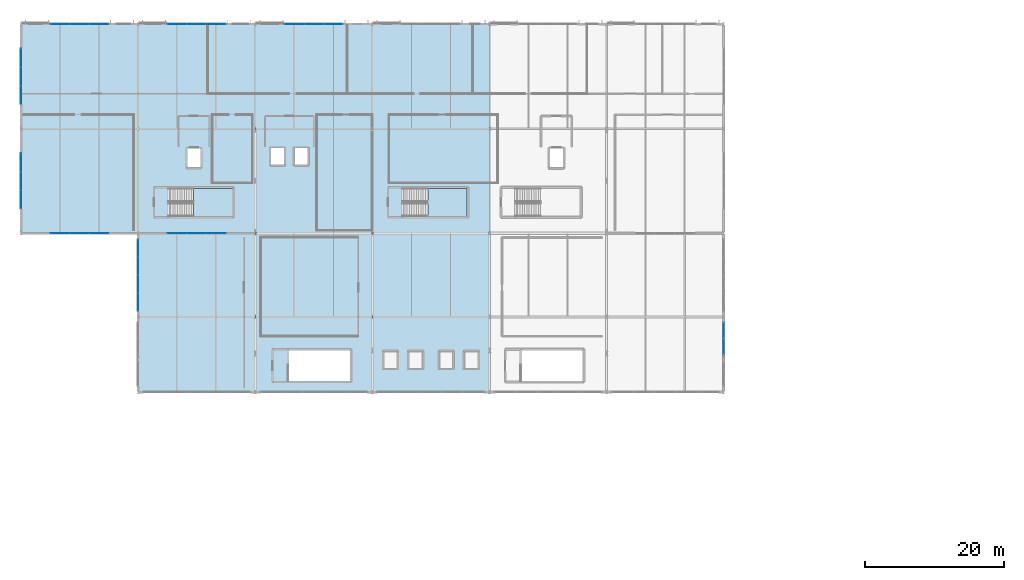
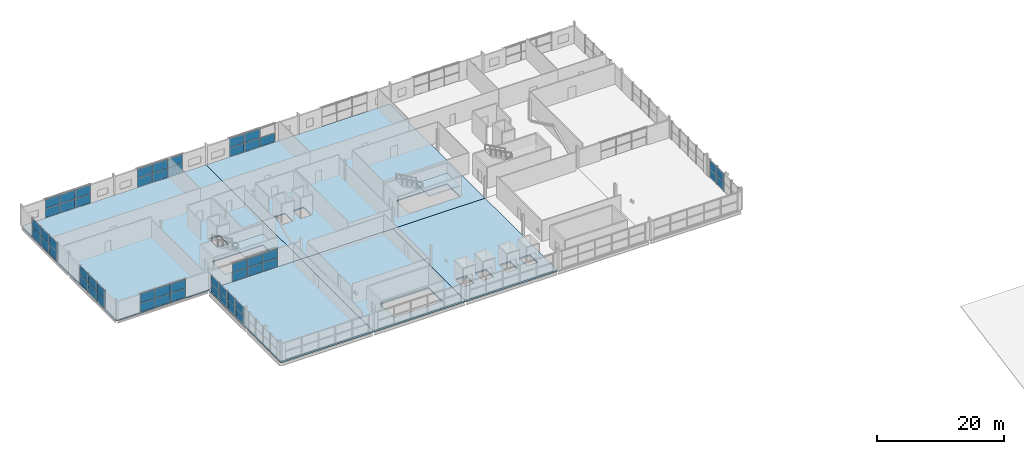
# One storey, part 27 of 39: 53 plates, 7 slabs, 11 elements without a shape of their own.
"""IFC4 building model written with IfcOpenShell, lengths in metres."""

from ifc_helpers import new_model, si_unit, direction, frame, origin, origin_2d, place, context, subcontext, project, spatial, polyline, rectangle, outline, extrude, material, layer, layer_set, type_object, element, aggregate, save


model = new_model("IFC4")

# Units and contexts
model_context = context("Model", 3, precision=1e-05, world=origin(), true_north=direction((0.0, 1.0)))
body_context = subcontext(model_context, "Body", "Model", "MODEL_VIEW")
ifc_project = project(units=[si_unit("LENGTHUNIT", "METRE"), si_unit("AREAUNIT", "SQUARE_METRE"), si_unit("VOLUMEUNIT", "CUBIC_METRE"), si_unit("PLANEANGLEUNIT", "RADIAN"), si_unit("MASSUNIT", "GRAM", prefix="KILO")], contexts=[model_context])

# Site, building, storey
site_placement = place(None, origin())
site = spatial("IfcSite", under=ifc_project, at=site_placement, CompositionType="ELEMENT")
building_placement = place(site_placement, origin())
building = spatial("IfcBuilding", under=site, at=building_placement, Name="Kimbaza Rail Terminus", CompositionType="ELEMENT")
storey_placement = place(building_placement, frame((0.0, 0.0, 16.800048828125)))
storey = spatial("IfcBuildingStorey", under=building, at=storey_placement, Name="L03", CompositionType="ELEMENT", Elevation=16.800048828125)

# Curtain wall, plates
ifc_material_1 = material(Name="Anodised aluminium framing and solar low-E glazing", Category="aluminium")
curtain_wall_type_1 = type_object("IfcCurtainWallType", Name="ARC-CW-BRG", PredefinedType="USERDEFINED", material=ifc_material_1)
curtain_wall_1_placement = place(storey_placement, origin())
curtain_wall_1 = element("IfcCurtainWall", 1, at=curtain_wall_1_placement, inside=storey, type_object=curtain_wall_type_1, Name="Over-Track Footbridge W Panoramic Curtain Wall 2", ObjectType="UNITISED CURTAIN WALL", PredefinedType="USERDEFINED")
ifc_material_2 = material(Name="Solar-control double low-E glazing", Category="glass")
ifc_layer_1 = layer(ifc_material_2, 0.030029296875)
ifc_layer_set_1 = layer_set([ifc_layer_1], Name="Solar-control double low-E glazing")
plate_type_1 = type_object("IfcPlateType", Name="ARC-CWP-03", PredefinedType="CURTAIN_PANEL", material=ifc_layer_set_1)
plate_1_placement = place(storey_placement, frame((72.0, 93.109619140625, 0.06787109375), z_axis=(0.0, 0.0, 1.0), x_axis=(0.0, 1.0, 0.0)))
plate_1 = element("IfcPlate", 2, at=plate_1_placement, type_object=plate_type_1, Name="CW-03 panel 1.1", PredefinedType="CURTAIN_PANEL", context=body_context, shape_type="SweptSolid", body=[
    extrude(rectangle(XDim=2.48291015625, YDim=0.030029296875, at=origin_2d()), origin(), (0.0, 0.0, 1.0), 1.5830078125),
])
plate_2_placement = place(storey_placement, frame((72.0, 93.109619140625, 1.718994140625), z_axis=(0.0, 0.0, 1.0), x_axis=(0.0, 1.0, 0.0)))
plate_2 = element("IfcPlate", 3, at=plate_2_placement, type_object=plate_type_1, Name="CW-03 panel 1.2", PredefinedType="CURTAIN_PANEL", context=body_context, shape_type="SweptSolid", body=[
    extrude(rectangle(XDim=2.48291015625, YDim=0.030029296875, at=origin_2d()), origin(), (0.0, 0.0, 1.0), 1.5830078125),
])
plate_3_placement = place(storey_placement, frame((72.0, 95.677490234375, 0.06787109375), z_axis=(0.0, 0.0, 1.0), x_axis=(0.0, 1.0, 0.0)))
plate_3 = element("IfcPlate", 4, at=plate_3_placement, type_object=plate_type_1, Name="CW-03 panel 2.1", PredefinedType="CURTAIN_PANEL", context=body_context, shape_type="SweptSolid", body=[
    extrude(rectangle(XDim=2.51708984375, YDim=0.030029296875, at=origin_2d()), origin(), (0.0, 0.0, 1.0), 1.5830078125),
])
plate_4_placement = place(storey_placement, frame((72.0, 95.677490234375, 1.718994140625), z_axis=(0.0, 0.0, 1.0), x_axis=(0.0, 1.0, 0.0)))
plate_4 = element("IfcPlate", 5, at=plate_4_placement, type_object=plate_type_1, Name="CW-03 panel 2.2", PredefinedType="CURTAIN_PANEL", context=body_context, shape_type="SweptSolid", body=[
    extrude(rectangle(XDim=2.51708984375, YDim=0.030029296875, at=origin_2d()), origin(), (0.0, 0.0, 1.0), 1.5830078125),
])
plate_5_placement = place(storey_placement, frame((72.0, 98.262451171875, 0.06787109375), z_axis=(0.0, 0.0, 1.0), x_axis=(0.0, 1.0, 0.0)))
plate_5 = element("IfcPlate", 6, at=plate_5_placement, type_object=plate_type_1, Name="CW-03 panel 3.1", PredefinedType="CURTAIN_PANEL", context=body_context, shape_type="SweptSolid", body=[
    extrude(rectangle(XDim=2.51708984375, YDim=0.030029296875, at=origin_2d()), origin(), (0.0, 0.0, 1.0), 1.5830078125),
])
plate_6_placement = place(storey_placement, frame((72.0, 98.262451171875, 1.718994140625), z_axis=(0.0, 0.0, 1.0), x_axis=(0.0, 1.0, 0.0)))
plate_6 = element("IfcPlate", 7, at=plate_6_placement, type_object=plate_type_1, Name="CW-03 panel 3.2", PredefinedType="CURTAIN_PANEL", context=body_context, shape_type="SweptSolid", body=[
    extrude(rectangle(XDim=2.51708984375, YDim=0.030029296875, at=origin_2d()), origin(), (0.0, 0.0, 1.0), 1.5830078125),
])
plate_7_placement = place(storey_placement, frame((72.0, 100.83056640625, 0.06787109375), z_axis=(0.0, 0.0, 1.0), x_axis=(0.0, 1.0, 0.0)))
plate_7 = element("IfcPlate", 8, at=plate_7_placement, type_object=plate_type_1, Name="CW-03 panel 4.1", PredefinedType="CURTAIN_PANEL", context=body_context, shape_type="SweptSolid", body=[
    extrude(rectangle(XDim=2.48291015625, YDim=0.030029296875, at=origin_2d()), origin(), (0.0, 0.0, 1.0), 1.5830078125),
])
plate_8_placement = place(storey_placement, frame((72.0, 100.83056640625, 1.718994140625), z_axis=(0.0, 0.0, 1.0), x_axis=(0.0, 1.0, 0.0)))
plate_8 = element("IfcPlate", 9, at=plate_8_placement, type_object=plate_type_1, Name="CW-03 panel 4.2", PredefinedType="CURTAIN_PANEL", context=body_context, shape_type="SweptSolid", body=[
    extrude(rectangle(XDim=2.48291015625, YDim=0.030029296875, at=origin_2d()), origin(), (0.0, 0.0, 1.0), 1.5830078125),
])
aggregate(curtain_wall_1, [plate_1, plate_2, plate_3, plate_4, plate_5, plate_6, plate_7, plate_8])

curtain_wall_2_placement = place(storey_placement, origin())
curtain_wall_2 = element("IfcCurtainWall", 10, at=curtain_wall_2_placement, inside=storey, type_object=curtain_wall_type_1, Name="Over-Track Footbridge E Panoramic Curtain Wall 1", ObjectType="UNITISED CURTAIN WALL", PredefinedType="USERDEFINED")
plate_9_placement = place(storey_placement, frame((156.0, 86.7724609375, 0.06787109375), z_axis=(0.0, 0.0, 1.0), x_axis=(0.0, 1.0, 0.0)))
plate_9 = element("IfcPlate", 11, at=plate_9_placement, type_object=plate_type_1, Name="CW-03 panel 3.1", PredefinedType="CURTAIN_PANEL", context=body_context, shape_type="SweptSolid", body=[
    extrude(rectangle(XDim=2.217041015625, YDim=0.030029296875, at=origin_2d()), origin(), (0.0, 0.0, 1.0), 1.623046875),
])
plate_10_placement = place(storey_placement, frame((156.0, 86.7724609375, 1.759033203125), z_axis=(0.0, 0.0, 1.0), x_axis=(0.0, 1.0, 0.0)))
plate_10 = element("IfcPlate", 12, at=plate_10_placement, type_object=plate_type_1, Name="CW-03 panel 3.2", PredefinedType="CURTAIN_PANEL", context=body_context, shape_type="SweptSolid", body=[
    extrude(rectangle(XDim=2.217041015625, YDim=0.030029296875, at=origin_2d()), origin(), (0.0, 0.0, 1.0), 1.623046875),
])
plate_11_placement = place(storey_placement, frame((156.0, 89.04052734375, 0.06787109375), z_axis=(0.0, 0.0, 1.0), x_axis=(0.0, 1.0, 0.0)))
plate_11 = element("IfcPlate", 13, at=plate_11_placement, type_object=plate_type_1, Name="CW-03 panel 4.1", PredefinedType="CURTAIN_PANEL", context=body_context, shape_type="SweptSolid", body=[
    extrude(rectangle(XDim=2.18310546875, YDim=0.030029296875, at=origin_2d()), origin(), (0.0, 0.0, 1.0), 1.623046875),
])
plate_12_placement = place(storey_placement, frame((156.0, 89.04052734375, 1.759033203125), z_axis=(0.0, 0.0, 1.0), x_axis=(0.0, 1.0, 0.0)))
plate_12 = element("IfcPlate", 14, at=plate_12_placement, type_object=plate_type_1, Name="CW-03 panel 4.2", PredefinedType="CURTAIN_PANEL", context=body_context, shape_type="SweptSolid", body=[
    extrude(rectangle(XDim=2.18310546875, YDim=0.030029296875, at=origin_2d()), origin(), (0.0, 0.0, 1.0), 1.623046875),
])
aggregate(curtain_wall_2, [plate_9, plate_10, plate_11, plate_12])

ifc_material_3 = material(Name="Anodised aluminium framing and solar low-E glazing", Category="aluminium")
curtain_wall_type_2 = type_object("IfcCurtainWallType", Name="ARC-CW-OP2", PredefinedType="USERDEFINED", material=ifc_material_3)
curtain_wall_3_placement = place(storey_placement, origin())
curtain_wall_3 = element("IfcCurtainWall", 15, at=curtain_wall_3_placement, inside=storey, type_object=curtain_wall_type_2, Name="Operations North Curtain Wall L03 Bay 1", ObjectType="STICK CURTAIN WALL", PredefinedType="USERDEFINED")
ifc_material_4 = material(Name="Solar-control double low-E glazing", Category="glass")
ifc_layer_2 = layer(ifc_material_4, 0.02294921875)
ifc_layer_set_2 = layer_set([ifc_layer_2], Name="Solar-control double low-E glazing")
plate_type_2 = type_object("IfcPlateType", Name="ARC-CWP-06", PredefinedType="CURTAIN_PANEL", material=ifc_layer_set_2)
plate_13_placement = place(storey_placement, frame((60.814453125, 133.0, 0.05810546875), z_axis=(0.0, 0.0, 1.0), x_axis=(1.0, 0.0, 0.0)))
plate_13 = element("IfcPlate", 16, at=plate_13_placement, type_object=plate_type_2, Name="CW-06 panel 1.1", PredefinedType="CURTAIN_PANEL", context=body_context, shape_type="SweptSolid", body=[
    extrude(rectangle(XDim=2.712890625, YDim=0.02294921875, at=origin_2d()), origin(), (0.0, 0.0, 1.0), 1.715576171875),
])
plate_14_placement = place(storey_placement, frame((60.814453125, 133.0, 1.83154296875), z_axis=(0.0, 0.0, 1.0), x_axis=(1.0, 0.0, 0.0)))
plate_14 = element("IfcPlate", 17, at=plate_14_placement, type_object=plate_type_2, Name="CW-06 panel 1.2", PredefinedType="CURTAIN_PANEL", context=body_context, shape_type="SweptSolid", body=[
    extrude(rectangle(XDim=2.712890625, YDim=0.02294921875, at=origin_2d()), origin(), (0.0, 0.0, 1.0), 1.715576171875),
])
plate_15_placement = place(storey_placement, frame((63.60009765625, 133.0, 0.05810546875), z_axis=(0.0, 0.0, 1.0), x_axis=(1.0, 0.0, 0.0)))
plate_15 = element("IfcPlate", 18, at=plate_15_placement, type_object=plate_type_2, Name="CW-06 panel 2.1", PredefinedType="CURTAIN_PANEL", context=body_context, shape_type="SweptSolid", body=[
    extrude(rectangle(XDim=2.741943359375, YDim=0.02294921875, at=origin_2d()), origin(), (0.0, 0.0, 1.0), 1.715576171875),
])
plate_16_placement = place(storey_placement, frame((63.60009765625, 133.0, 1.83154296875), z_axis=(0.0, 0.0, 1.0), x_axis=(1.0, 0.0, 0.0)))
plate_16 = element("IfcPlate", 19, at=plate_16_placement, type_object=plate_type_2, Name="CW-06 panel 2.2", PredefinedType="CURTAIN_PANEL", context=body_context, shape_type="SweptSolid", body=[
    extrude(rectangle(XDim=2.741943359375, YDim=0.02294921875, at=origin_2d()), origin(), (0.0, 0.0, 1.0), 1.715576171875),
])
plate_17_placement = place(storey_placement, frame((66.385498046875, 133.0, 0.05810546875), z_axis=(0.0, 0.0, 1.0), x_axis=(1.0, 0.0, 0.0)))
plate_17 = element("IfcPlate", 20, at=plate_17_placement, type_object=plate_type_2, Name="CW-06 panel 3.1", PredefinedType="CURTAIN_PANEL", context=body_context, shape_type="SweptSolid", body=[
    extrude(rectangle(XDim=2.712890625, YDim=0.02294921875, at=origin_2d()), origin(), (0.0, 0.0, 1.0), 1.715576171875),
])
plate_18_placement = place(storey_placement, frame((66.385498046875, 133.0, 1.83154296875), z_axis=(0.0, 0.0, 1.0), x_axis=(1.0, 0.0, 0.0)))
plate_18 = element("IfcPlate", 21, at=plate_18_placement, type_object=plate_type_2, Name="CW-06 panel 3.2", PredefinedType="CURTAIN_PANEL", context=body_context, shape_type="SweptSolid", body=[
    extrude(rectangle(XDim=2.712890625, YDim=0.02294921875, at=origin_2d()), origin(), (0.0, 0.0, 1.0), 1.715576171875),
])
aggregate(curtain_wall_3, [plate_13, plate_14, plate_15, plate_16, plate_17, plate_18])

curtain_wall_4_placement = place(storey_placement, origin())
curtain_wall_4 = element("IfcCurtainWall", 22, at=curtain_wall_4_placement, inside=storey, type_object=curtain_wall_type_2, Name="Operations North Curtain Wall L03 Bay 2", ObjectType="STICK CURTAIN WALL", PredefinedType="USERDEFINED")
plate_19_placement = place(storey_placement, frame((77.614501953125, 133.0, 0.05810546875), z_axis=(0.0, 0.0, 1.0), x_axis=(1.0, 0.0, 0.0)))
plate_19 = element("IfcPlate", 23, at=plate_19_placement, type_object=plate_type_2, Name="CW-06 panel 1.1", PredefinedType="CURTAIN_PANEL", context=body_context, shape_type="SweptSolid", body=[
    extrude(rectangle(XDim=2.712890625, YDim=0.02294921875, at=origin_2d()), origin(), (0.0, 0.0, 1.0), 1.715576171875),
])
plate_20_placement = place(storey_placement, frame((77.614501953125, 133.0, 1.83154296875), z_axis=(0.0, 0.0, 1.0), x_axis=(1.0, 0.0, 0.0)))
plate_20 = element("IfcPlate", 24, at=plate_20_placement, type_object=plate_type_2, Name="CW-06 panel 1.2", PredefinedType="CURTAIN_PANEL", context=body_context, shape_type="SweptSolid", body=[
    extrude(rectangle(XDim=2.712890625, YDim=0.02294921875, at=origin_2d()), origin(), (0.0, 0.0, 1.0), 1.715576171875),
])
plate_21_placement = place(storey_placement, frame((80.39990234375, 133.0, 0.05810546875), z_axis=(0.0, 0.0, 1.0), x_axis=(1.0, 0.0, 0.0)))
plate_21 = element("IfcPlate", 25, at=plate_21_placement, type_object=plate_type_2, Name="CW-06 panel 2.1", PredefinedType="CURTAIN_PANEL", context=body_context, shape_type="SweptSolid", body=[
    extrude(rectangle(XDim=2.741943359375, YDim=0.02294921875, at=origin_2d()), origin(), (0.0, 0.0, 1.0), 1.715576171875),
])
plate_22_placement = place(storey_placement, frame((80.39990234375, 133.0, 1.83154296875), z_axis=(0.0, 0.0, 1.0), x_axis=(1.0, 0.0, 0.0)))
plate_22 = element("IfcPlate", 26, at=plate_22_placement, type_object=plate_type_2, Name="CW-06 panel 2.2", PredefinedType="CURTAIN_PANEL", context=body_context, shape_type="SweptSolid", body=[
    extrude(rectangle(XDim=2.741943359375, YDim=0.02294921875, at=origin_2d()), origin(), (0.0, 0.0, 1.0), 1.715576171875),
])
plate_23_placement = place(storey_placement, frame((83.185546875, 133.0, 0.05810546875), z_axis=(0.0, 0.0, 1.0), x_axis=(1.0, 0.0, 0.0)))
plate_23 = element("IfcPlate", 27, at=plate_23_placement, type_object=plate_type_2, Name="CW-06 panel 3.1", PredefinedType="CURTAIN_PANEL", context=body_context, shape_type="SweptSolid", body=[
    extrude(rectangle(XDim=2.712890625, YDim=0.02294921875, at=origin_2d()), origin(), (0.0, 0.0, 1.0), 1.715576171875),
])
plate_24_placement = place(storey_placement, frame((83.185546875, 133.0, 1.83154296875), z_axis=(0.0, 0.0, 1.0), x_axis=(1.0, 0.0, 0.0)))
plate_24 = element("IfcPlate", 28, at=plate_24_placement, type_object=plate_type_2, Name="CW-06 panel 3.2", PredefinedType="CURTAIN_PANEL", context=body_context, shape_type="SweptSolid", body=[
    extrude(rectangle(XDim=2.712890625, YDim=0.02294921875, at=origin_2d()), origin(), (0.0, 0.0, 1.0), 1.715576171875),
])
aggregate(curtain_wall_4, [plate_19, plate_20, plate_21, plate_22, plate_23, plate_24])

curtain_wall_5_placement = place(storey_placement, origin())
curtain_wall_5 = element("IfcCurtainWall", 29, at=curtain_wall_5_placement, inside=storey, type_object=curtain_wall_type_2, Name="Operations North Curtain Wall L03 Bay 3", ObjectType="STICK CURTAIN WALL", PredefinedType="USERDEFINED")
plate_25_placement = place(storey_placement, frame((94.41455078125, 133.0, 0.05810546875), z_axis=(0.0, 0.0, 1.0), x_axis=(1.0, 0.0, 0.0)))
plate_25 = element("IfcPlate", 30, at=plate_25_placement, type_object=plate_type_2, Name="CW-06 panel 1.1", PredefinedType="CURTAIN_PANEL", context=body_context, shape_type="SweptSolid", body=[
    extrude(rectangle(XDim=2.712890625, YDim=0.02294921875, at=origin_2d()), origin(), (0.0, 0.0, 1.0), 1.715576171875),
])
plate_26_placement = place(storey_placement, frame((94.41455078125, 133.0, 1.83154296875), z_axis=(0.0, 0.0, 1.0), x_axis=(1.0, 0.0, 0.0)))
plate_26 = element("IfcPlate", 31, at=plate_26_placement, type_object=plate_type_2, Name="CW-06 panel 1.2", PredefinedType="CURTAIN_PANEL", context=body_context, shape_type="SweptSolid", body=[
    extrude(rectangle(XDim=2.712890625, YDim=0.02294921875, at=origin_2d()), origin(), (0.0, 0.0, 1.0), 1.715576171875),
])
plate_27_placement = place(storey_placement, frame((97.199951171875, 133.0, 0.05810546875), z_axis=(0.0, 0.0, 1.0), x_axis=(1.0, 0.0, 0.0)))
plate_27 = element("IfcPlate", 32, at=plate_27_placement, type_object=plate_type_2, Name="CW-06 panel 2.1", PredefinedType="CURTAIN_PANEL", context=body_context, shape_type="SweptSolid", body=[
    extrude(rectangle(XDim=2.741943359375, YDim=0.02294921875, at=origin_2d()), origin(), (0.0, 0.0, 1.0), 1.715576171875),
])
plate_28_placement = place(storey_placement, frame((97.199951171875, 133.0, 1.83154296875), z_axis=(0.0, 0.0, 1.0), x_axis=(1.0, 0.0, 0.0)))
plate_28 = element("IfcPlate", 33, at=plate_28_placement, type_object=plate_type_2, Name="CW-06 panel 2.2", PredefinedType="CURTAIN_PANEL", context=body_context, shape_type="SweptSolid", body=[
    extrude(rectangle(XDim=2.741943359375, YDim=0.02294921875, at=origin_2d()), origin(), (0.0, 0.0, 1.0), 1.715576171875),
])
plate_29_placement = place(storey_placement, frame((99.985595703125, 133.0, 0.05810546875), z_axis=(0.0, 0.0, 1.0), x_axis=(1.0, 0.0, 0.0)))
plate_29 = element("IfcPlate", 34, at=plate_29_placement, type_object=plate_type_2, Name="CW-06 panel 3.1", PredefinedType="CURTAIN_PANEL", context=body_context, shape_type="SweptSolid", body=[
    extrude(rectangle(XDim=2.712890625, YDim=0.02294921875, at=origin_2d()), origin(), (0.0, 0.0, 1.0), 1.715576171875),
])
aggregate(curtain_wall_5, [plate_25, plate_26, plate_27, plate_28, plate_29])

curtain_wall_6_placement = place(storey_placement, origin())
curtain_wall_6 = element("IfcCurtainWall", 35, at=curtain_wall_6_placement, inside=storey, type_object=curtain_wall_type_2, Name="Operations South Curtain Wall L03 Bay 1", ObjectType="STICK CURTAIN WALL", PredefinedType="USERDEFINED")
plate_30_placement = place(storey_placement, frame((60.814453125, 103.0, 0.05810546875), z_axis=(0.0, 0.0, 1.0), x_axis=(1.0, 0.0, 0.0)))
plate_30 = element("IfcPlate", 36, at=plate_30_placement, type_object=plate_type_2, Name="CW-06 panel 1.1", PredefinedType="CURTAIN_PANEL", context=body_context, shape_type="SweptSolid", body=[
    extrude(rectangle(XDim=2.712890625, YDim=0.02294921875, at=origin_2d()), origin(), (0.0, 0.0, 1.0), 1.715576171875),
])
plate_31_placement = place(storey_placement, frame((60.814453125, 103.0, 1.83154296875), z_axis=(0.0, 0.0, 1.0), x_axis=(1.0, 0.0, 0.0)))
plate_31 = element("IfcPlate", 37, at=plate_31_placement, type_object=plate_type_2, Name="CW-06 panel 1.2", PredefinedType="CURTAIN_PANEL", context=body_context, shape_type="SweptSolid", body=[
    extrude(rectangle(XDim=2.712890625, YDim=0.02294921875, at=origin_2d()), origin(), (0.0, 0.0, 1.0), 1.715576171875),
])
plate_32_placement = place(storey_placement, frame((63.60009765625, 103.0, 0.05810546875), z_axis=(0.0, 0.0, 1.0), x_axis=(1.0, 0.0, 0.0)))
plate_32 = element("IfcPlate", 38, at=plate_32_placement, type_object=plate_type_2, Name="CW-06 panel 2.1", PredefinedType="CURTAIN_PANEL", context=body_context, shape_type="SweptSolid", body=[
    extrude(rectangle(XDim=2.741943359375, YDim=0.02294921875, at=origin_2d()), origin(), (0.0, 0.0, 1.0), 1.715576171875),
])
plate_33_placement = place(storey_placement, frame((63.60009765625, 103.0, 1.83154296875), z_axis=(0.0, 0.0, 1.0), x_axis=(1.0, 0.0, 0.0)))
plate_33 = element("IfcPlate", 39, at=plate_33_placement, type_object=plate_type_2, Name="CW-06 panel 2.2", PredefinedType="CURTAIN_PANEL", context=body_context, shape_type="SweptSolid", body=[
    extrude(rectangle(XDim=2.741943359375, YDim=0.02294921875, at=origin_2d()), origin(), (0.0, 0.0, 1.0), 1.715576171875),
])
plate_34_placement = place(storey_placement, frame((66.385498046875, 103.0, 0.05810546875), z_axis=(0.0, 0.0, 1.0), x_axis=(1.0, 0.0, 0.0)))
plate_34 = element("IfcPlate", 40, at=plate_34_placement, type_object=plate_type_2, Name="CW-06 panel 3.1", PredefinedType="CURTAIN_PANEL", context=body_context, shape_type="SweptSolid", body=[
    extrude(rectangle(XDim=2.712890625, YDim=0.02294921875, at=origin_2d()), origin(), (0.0, 0.0, 1.0), 1.715576171875),
])
plate_35_placement = place(storey_placement, frame((66.385498046875, 103.0, 1.83154296875), z_axis=(0.0, 0.0, 1.0), x_axis=(1.0, 0.0, 0.0)))
plate_35 = element("IfcPlate", 41, at=plate_35_placement, type_object=plate_type_2, Name="CW-06 panel 3.2", PredefinedType="CURTAIN_PANEL", context=body_context, shape_type="SweptSolid", body=[
    extrude(rectangle(XDim=2.712890625, YDim=0.02294921875, at=origin_2d()), origin(), (0.0, 0.0, 1.0), 1.715576171875),
])
aggregate(curtain_wall_6, [plate_30, plate_31, plate_32, plate_33, plate_34, plate_35])

curtain_wall_7_placement = place(storey_placement, origin())
curtain_wall_7 = element("IfcCurtainWall", 42, at=curtain_wall_7_placement, inside=storey, type_object=curtain_wall_type_2, Name="Operations South Curtain Wall L03 Bay 2", ObjectType="STICK CURTAIN WALL", PredefinedType="USERDEFINED")
plate_36_placement = place(storey_placement, frame((77.614501953125, 103.0, 0.05810546875), z_axis=(0.0, 0.0, 1.0), x_axis=(1.0, 0.0, 0.0)))
plate_36 = element("IfcPlate", 43, at=plate_36_placement, type_object=plate_type_2, Name="CW-06 panel 1.1", PredefinedType="CURTAIN_PANEL", context=body_context, shape_type="SweptSolid", body=[
    extrude(rectangle(XDim=2.712890625, YDim=0.02294921875, at=origin_2d()), origin(), (0.0, 0.0, 1.0), 1.715576171875),
])
plate_37_placement = place(storey_placement, frame((77.614501953125, 103.0, 1.83154296875), z_axis=(0.0, 0.0, 1.0), x_axis=(1.0, 0.0, 0.0)))
plate_37 = element("IfcPlate", 44, at=plate_37_placement, type_object=plate_type_2, Name="CW-06 panel 1.2", PredefinedType="CURTAIN_PANEL", context=body_context, shape_type="SweptSolid", body=[
    extrude(rectangle(XDim=2.712890625, YDim=0.02294921875, at=origin_2d()), origin(), (0.0, 0.0, 1.0), 1.715576171875),
])
plate_38_placement = place(storey_placement, frame((80.39990234375, 103.0, 0.05810546875), z_axis=(0.0, 0.0, 1.0), x_axis=(1.0, 0.0, 0.0)))
plate_38 = element("IfcPlate", 45, at=plate_38_placement, type_object=plate_type_2, Name="CW-06 panel 2.1", PredefinedType="CURTAIN_PANEL", context=body_context, shape_type="SweptSolid", body=[
    extrude(rectangle(XDim=2.741943359375, YDim=0.02294921875, at=origin_2d()), origin(), (0.0, 0.0, 1.0), 1.715576171875),
])
plate_39_placement = place(storey_placement, frame((80.39990234375, 103.0, 1.83154296875), z_axis=(0.0, 0.0, 1.0), x_axis=(1.0, 0.0, 0.0)))
plate_39 = element("IfcPlate", 46, at=plate_39_placement, type_object=plate_type_2, Name="CW-06 panel 2.2", PredefinedType="CURTAIN_PANEL", context=body_context, shape_type="SweptSolid", body=[
    extrude(rectangle(XDim=2.741943359375, YDim=0.02294921875, at=origin_2d()), origin(), (0.0, 0.0, 1.0), 1.715576171875),
])
plate_40_placement = place(storey_placement, frame((83.185546875, 103.0, 0.05810546875), z_axis=(0.0, 0.0, 1.0), x_axis=(1.0, 0.0, 0.0)))
plate_40 = element("IfcPlate", 47, at=plate_40_placement, type_object=plate_type_2, Name="CW-06 panel 3.1", PredefinedType="CURTAIN_PANEL", context=body_context, shape_type="SweptSolid", body=[
    extrude(rectangle(XDim=2.712890625, YDim=0.02294921875, at=origin_2d()), origin(), (0.0, 0.0, 1.0), 1.715576171875),
])
plate_41_placement = place(storey_placement, frame((83.185546875, 103.0, 1.83154296875), z_axis=(0.0, 0.0, 1.0), x_axis=(1.0, 0.0, 0.0)))
plate_41 = element("IfcPlate", 48, at=plate_41_placement, type_object=plate_type_2, Name="CW-06 panel 3.2", PredefinedType="CURTAIN_PANEL", context=body_context, shape_type="SweptSolid", body=[
    extrude(rectangle(XDim=2.712890625, YDim=0.02294921875, at=origin_2d()), origin(), (0.0, 0.0, 1.0), 1.715576171875),
])
aggregate(curtain_wall_7, [plate_36, plate_37, plate_38, plate_39, plate_40, plate_41])

curtain_wall_8_placement = place(storey_placement, origin())
curtain_wall_8 = element("IfcCurtainWall", 49, at=curtain_wall_8_placement, inside=storey, type_object=curtain_wall_type_2, Name="Operations W Curtain Wall L03.1", ObjectType="STICK CURTAIN WALL", PredefinedType="USERDEFINED")
plate_42_placement = place(storey_placement, frame((55.199951171875, 107.847900390625, 0.05810546875), z_axis=(0.0, 0.0, 1.0), x_axis=(0.0, 1.0, 0.0)))
plate_42 = element("IfcPlate", 50, at=plate_42_placement, type_object=plate_type_2, Name="CW-06 panel 1.1", PredefinedType="CURTAIN_PANEL", context=body_context, shape_type="SweptSolid", body=[
    extrude(rectangle(XDim=2.57958984375, YDim=0.02294921875, at=origin_2d()), origin(), (0.0, 0.0, 1.0), 1.715576171875),
])
plate_43_placement = place(storey_placement, frame((55.199951171875, 107.847900390625, 1.83154296875), z_axis=(0.0, 0.0, 1.0), x_axis=(0.0, 1.0, 0.0)))
plate_43 = element("IfcPlate", 51, at=plate_43_placement, type_object=plate_type_2, Name="CW-06 panel 1.2", PredefinedType="CURTAIN_PANEL", context=body_context, shape_type="SweptSolid", body=[
    extrude(rectangle(XDim=2.57958984375, YDim=0.02294921875, at=origin_2d()), origin(), (0.0, 0.0, 1.0), 1.715576171875),
])
plate_44_placement = place(storey_placement, frame((55.199951171875, 110.5, 0.05810546875), z_axis=(0.0, 0.0, 1.0), x_axis=(0.0, 1.0, 0.0)))
plate_44 = element("IfcPlate", 52, at=plate_44_placement, type_object=plate_type_2, Name="CW-06 panel 2.1", PredefinedType="CURTAIN_PANEL", context=body_context, shape_type="SweptSolid", body=[
    extrude(rectangle(XDim=2.608642578125, YDim=0.02294921875, at=origin_2d()), origin(), (0.0, 0.0, 1.0), 1.715576171875),
])
plate_45_placement = place(storey_placement, frame((55.199951171875, 110.5, 1.83154296875), z_axis=(0.0, 0.0, 1.0), x_axis=(0.0, 1.0, 0.0)))
plate_45 = element("IfcPlate", 53, at=plate_45_placement, type_object=plate_type_2, Name="CW-06 panel 2.2", PredefinedType="CURTAIN_PANEL", context=body_context, shape_type="SweptSolid", body=[
    extrude(rectangle(XDim=2.608642578125, YDim=0.02294921875, at=origin_2d()), origin(), (0.0, 0.0, 1.0), 1.715576171875),
])
plate_46_placement = place(storey_placement, frame((55.199951171875, 113.152099609375, 0.05810546875), z_axis=(0.0, 0.0, 1.0), x_axis=(0.0, 1.0, 0.0)))
plate_46 = element("IfcPlate", 54, at=plate_46_placement, type_object=plate_type_2, Name="CW-06 panel 3.1", PredefinedType="CURTAIN_PANEL", context=body_context, shape_type="SweptSolid", body=[
    extrude(rectangle(XDim=2.57958984375, YDim=0.02294921875, at=origin_2d()), origin(), (0.0, 0.0, 1.0), 1.715576171875),
])
plate_47_placement = place(storey_placement, frame((55.199951171875, 113.152099609375, 1.83154296875), z_axis=(0.0, 0.0, 1.0), x_axis=(0.0, 1.0, 0.0)))
plate_47 = element("IfcPlate", 55, at=plate_47_placement, type_object=plate_type_2, Name="CW-06 panel 3.2", PredefinedType="CURTAIN_PANEL", context=body_context, shape_type="SweptSolid", body=[
    extrude(rectangle(XDim=2.57958984375, YDim=0.02294921875, at=origin_2d()), origin(), (0.0, 0.0, 1.0), 1.715576171875),
])
aggregate(curtain_wall_8, [plate_42, plate_43, plate_44, plate_45, plate_46, plate_47])

curtain_wall_9_placement = place(storey_placement, origin())
curtain_wall_9 = element("IfcCurtainWall", 56, at=curtain_wall_9_placement, inside=storey, type_object=curtain_wall_type_2, Name="Operations W Curtain Wall L03.2", ObjectType="STICK CURTAIN WALL", PredefinedType="USERDEFINED")
plate_48_placement = place(storey_placement, frame((55.199951171875, 122.847900390625, 0.05810546875), z_axis=(0.0, 0.0, 1.0), x_axis=(0.0, 1.0, 0.0)))
plate_48 = element("IfcPlate", 57, at=plate_48_placement, type_object=plate_type_2, Name="CW-06 panel 1.1", PredefinedType="CURTAIN_PANEL", context=body_context, shape_type="SweptSolid", body=[
    extrude(rectangle(XDim=2.57958984375, YDim=0.02294921875, at=origin_2d()), origin(), (0.0, 0.0, 1.0), 1.715576171875),
])
plate_49_placement = place(storey_placement, frame((55.199951171875, 122.847900390625, 1.83154296875), z_axis=(0.0, 0.0, 1.0), x_axis=(0.0, 1.0, 0.0)))
plate_49 = element("IfcPlate", 58, at=plate_49_placement, type_object=plate_type_2, Name="CW-06 panel 1.2", PredefinedType="CURTAIN_PANEL", context=body_context, shape_type="SweptSolid", body=[
    extrude(rectangle(XDim=2.57958984375, YDim=0.02294921875, at=origin_2d()), origin(), (0.0, 0.0, 1.0), 1.715576171875),
])
plate_50_placement = place(storey_placement, frame((55.199951171875, 125.5, 0.05810546875), z_axis=(0.0, 0.0, 1.0), x_axis=(0.0, 1.0, 0.0)))
plate_50 = element("IfcPlate", 59, at=plate_50_placement, type_object=plate_type_2, Name="CW-06 panel 2.1", PredefinedType="CURTAIN_PANEL", context=body_context, shape_type="SweptSolid", body=[
    extrude(rectangle(XDim=2.608642578125, YDim=0.02294921875, at=origin_2d()), origin(), (0.0, 0.0, 1.0), 1.715576171875),
])
plate_51_placement = place(storey_placement, frame((55.199951171875, 125.5, 1.83154296875), z_axis=(0.0, 0.0, 1.0), x_axis=(0.0, 1.0, 0.0)))
plate_51 = element("IfcPlate", 60, at=plate_51_placement, type_object=plate_type_2, Name="CW-06 panel 2.2", PredefinedType="CURTAIN_PANEL", context=body_context, shape_type="SweptSolid", body=[
    extrude(rectangle(XDim=2.608642578125, YDim=0.02294921875, at=origin_2d()), origin(), (0.0, 0.0, 1.0), 1.715576171875),
])
plate_52_placement = place(storey_placement, frame((55.199951171875, 128.152099609375, 0.05810546875), z_axis=(0.0, 0.0, 1.0), x_axis=(0.0, 1.0, 0.0)))
plate_52 = element("IfcPlate", 61, at=plate_52_placement, type_object=plate_type_2, Name="CW-06 panel 3.1", PredefinedType="CURTAIN_PANEL", context=body_context, shape_type="SweptSolid", body=[
    extrude(rectangle(XDim=2.57958984375, YDim=0.02294921875, at=origin_2d()), origin(), (0.0, 0.0, 1.0), 1.715576171875),
])
plate_53_placement = place(storey_placement, frame((55.199951171875, 128.152099609375, 1.83154296875), z_axis=(0.0, 0.0, 1.0), x_axis=(0.0, 1.0, 0.0)))
plate_53 = element("IfcPlate", 62, at=plate_53_placement, type_object=plate_type_2, Name="CW-06 panel 3.2", PredefinedType="CURTAIN_PANEL", context=body_context, shape_type="SweptSolid", body=[
    extrude(rectangle(XDim=2.57958984375, YDim=0.02294921875, at=origin_2d()), origin(), (0.0, 0.0, 1.0), 1.715576171875),
])
aggregate(curtain_wall_9, [plate_48, plate_49, plate_50, plate_51, plate_52, plate_53])

# Slabs
ifc_material_5 = material(Name="Concrete C40/50", Category="concrete")
ifc_layer_3 = layer(ifc_material_5, 0.280029296875)
ifc_layer_set_3 = layer_set([ifc_layer_3], Name="Concrete C40/50")
slab_type_1 = type_object("IfcSlabType", Name="STR-SL-BRG280", PredefinedType="FLOOR", material=ifc_layer_set_3)
slab_1_placement = place(storey_placement, frame((0.0, 0.0, -0.280029296875)))
element("IfcSlab", 63, at=slab_1_placement, inside=storey, type_object=slab_type_1, Name="L03 Over-Track Footbridge Concourse Slab Bay 1", PredefinedType="FLOOR", context=body_context, shape_type="SweptSolid", body=[
    extrude(outline(polyline([(72.0, 80.199951171875), (88.800048828125, 80.199951171875), (88.800048828125, 103.0), (72.0, 103.0), (72.0, 80.199951171875)])), origin(), (0.0, 0.0, 1.0), 0.280029296875),
])
slab_2_placement = place(storey_placement, frame((0.0, 0.0, -0.280029296875)))
element("IfcSlab", 64, at=slab_2_placement, inside=storey, type_object=slab_type_1, Name="L03 Over-Track Footbridge Concourse Slab Bay 2", PredefinedType="FLOOR", context=body_context, shape_type="SweptSolid", body=[
    extrude(outline(polyline([(88.800048828125, 80.199951171875), (105.60009765625, 80.199951171875), (105.60009765625, 103.0), (88.800048828125, 103.0), (88.800048828125, 80.199951171875)]), holes=[polyline([(93.52490234375, 81.800048828125), (102.39990234375, 81.800048828125), (102.39990234375, 86.199951171875), (93.52490234375, 86.199951171875), (93.52490234375, 81.800048828125)])]), origin(), (0.0, 0.0, 1.0), 0.280029296875),
])
slab_3_placement = place(storey_placement, frame((0.0, 0.0, -0.280029296875)))
element("IfcSlab", 65, at=slab_3_placement, inside=storey, type_object=slab_type_1, Name="L03 Over-Track Footbridge Concourse Slab Bay 3", PredefinedType="FLOOR", context=body_context, shape_type="SweptSolid", body=[
    extrude(outline(polyline([(105.60009765625, 80.199951171875), (122.39990234375, 80.199951171875), (122.39990234375, 103.0), (105.60009765625, 103.0), (105.60009765625, 80.199951171875)]), holes=[polyline([(107.25, 83.60009765625), (109.14990234375, 83.60009765625), (109.14990234375, 86.0), (107.25, 86.0), (107.25, 83.60009765625)]), polyline([(110.85009765625, 83.60009765625), (112.75, 83.60009765625), (112.75, 86.0), (110.85009765625, 86.0), (110.85009765625, 83.60009765625)]), polyline([(115.25, 83.60009765625), (117.14990234375, 83.60009765625), (117.14990234375, 86.0), (115.25, 86.0), (115.25, 83.60009765625)]), polyline([(118.85009765625, 83.60009765625), (120.75, 83.60009765625), (120.75, 86.0), (118.85009765625, 86.0), (118.85009765625, 83.60009765625)])]), origin(), (0.0, 0.0, 1.0), 0.280029296875),
])

# Stair, slab
ifc_material_6 = material(Name="Concrete C40/50", Category="concrete")
stair_type = type_object("IfcStairType", Name="ARC-STR-03", PredefinedType="HALF_TURN_STAIR", material=ifc_material_6)
stair_1_placement = place(storey_placement, origin())
stair_1 = element("IfcStair", 66, at=stair_1_placement, inside=storey, type_object=stair_type, Name="L03 Operations West Exit Stair", PredefinedType="HALF_TURN_STAIR")
ifc_material_7 = material(Name="Concrete C40/50", Category="concrete")
ifc_layer_4 = layer(ifc_material_7, 0.199951171875)
ifc_layer_set_4 = layer_set([ifc_layer_4], Name="Concrete C40/50")
slab_type_2 = type_object("IfcSlabType", Name="STR-SL-LND200", PredefinedType="LANDING", material=ifc_layer_set_4)
slab_4_placement = place(storey_placement, frame((0.0, 0.0, 1.89990234375)))
slab_4 = element("IfcSlab", 67, at=slab_4_placement, type_object=slab_type_2, Name="ST-W1 landing 1", PredefinedType="LANDING", context=body_context, shape_type="SweptSolid", body=[
    extrude(outline(polyline([(79.949951171875, 105.39990234375), (85.60009765625, 105.39990234375), (85.60009765625, 109.43994140625), (79.949951171875, 109.43994140625), (79.949951171875, 105.39990234375)])), origin(), (0.0, 0.0, 1.0), 0.199951171875),
])
aggregate(stair_1, [slab_4])

stair_2_placement = place(storey_placement, origin())
stair_2 = element("IfcStair", 68, at=stair_2_placement, inside=storey, type_object=stair_type, Name="L03 Operations Central Exit Stair", PredefinedType="HALF_TURN_STAIR")
slab_5_placement = place(storey_placement, frame((0.0, 0.0, 1.89990234375)))
slab_5 = element("IfcSlab", 69, at=slab_5_placement, type_object=slab_type_2, Name="ST-M1 landing 1", PredefinedType="LANDING", context=body_context, shape_type="SweptSolid", body=[
    extrude(outline(polyline([(113.550048828125, 105.39990234375), (119.199951171875, 105.39990234375), (119.199951171875, 109.43994140625), (113.550048828125, 109.43994140625), (113.550048828125, 105.39990234375)])), origin(), (0.0, 0.0, 1.0), 0.199951171875),
])
aggregate(stair_2, [slab_5])

# Slabs
ifc_material_8 = material(Name="Concrete C40/50", Category="concrete")
ifc_layer_5 = layer(ifc_material_8, 0.199951171875)
ifc_layer_set_5 = layer_set([ifc_layer_5], Name="Concrete C40/50")
slab_type_3 = type_object("IfcSlabType", Name="STR-SL-UPP200", PredefinedType="FLOOR", material=ifc_layer_set_5)
slab_6_placement = place(storey_placement, frame((0.0, 0.0, -0.199951171875)))
element("IfcSlab", 70, at=slab_6_placement, inside=storey, type_object=slab_type_3, Name="Operations Wing L03 Slab Zone 1", PredefinedType="FLOOR", context=body_context, shape_type="SweptSolid", body=[
    extrude(outline(polyline([(55.199951171875, 103.0), (88.800048828125, 103.0), (88.800048828125, 133.0), (55.199951171875, 133.0), (55.199951171875, 103.0)]), holes=[polyline([(76.344970703125, 105.39990234375), (85.60009765625, 105.39990234375), (85.60009765625, 109.43994140625), (76.344970703125, 109.43994140625), (76.344970703125, 105.39990234375)]), polyline([(79.050048828125, 112.449951171875), (80.949951171875, 112.449951171875), (80.949951171875, 115.14990234375), (79.050048828125, 115.14990234375), (79.050048828125, 112.449951171875)])]), origin(), (0.0, 0.0, 1.0), 0.199951171875),
])
slab_7_placement = place(storey_placement, frame((0.0, 0.0, -0.199951171875)))
element("IfcSlab", 71, at=slab_7_placement, inside=storey, type_object=slab_type_3, Name="Operations Wing L03 Slab Zone 2", PredefinedType="FLOOR", context=body_context, shape_type="SweptSolid", body=[
    extrude(outline(polyline([(88.800048828125, 103.0), (122.39990234375, 103.0), (122.39990234375, 133.0), (88.800048828125, 133.0), (88.800048828125, 103.0)]), holes=[polyline([(109.945068359375, 105.39990234375), (119.199951171875, 105.39990234375), (119.199951171875, 109.43994140625), (109.945068359375, 109.43994140625), (109.945068359375, 105.39990234375)]), polyline([(91.050048828125, 112.800048828125), (92.949951171875, 112.800048828125), (92.949951171875, 115.199951171875), (91.050048828125, 115.199951171875), (91.050048828125, 112.800048828125)]), polyline([(94.449951171875, 112.800048828125), (96.35009765625, 112.800048828125), (96.35009765625, 115.199951171875), (94.449951171875, 115.199951171875), (94.449951171875, 112.800048828125)])]), origin(), (0.0, 0.0, 1.0), 0.199951171875),
])

save(model, "model.ifc")
